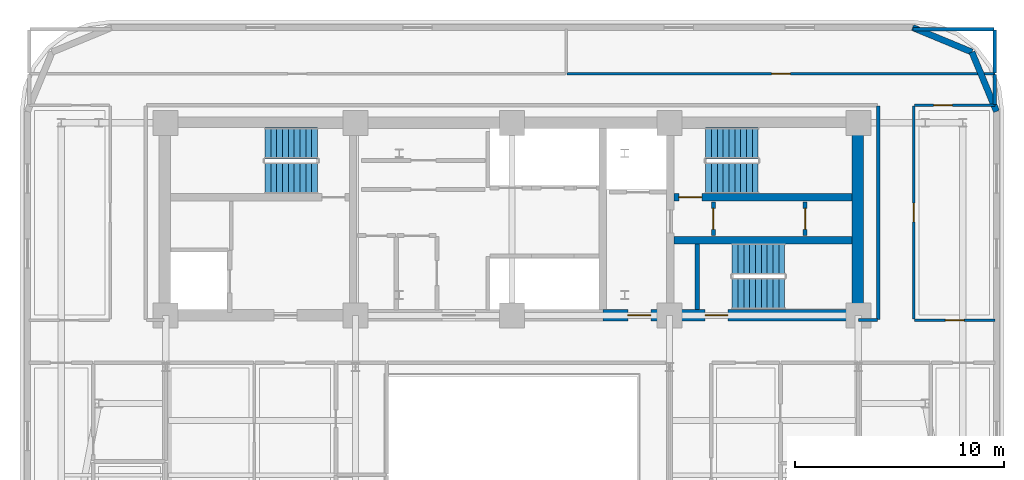
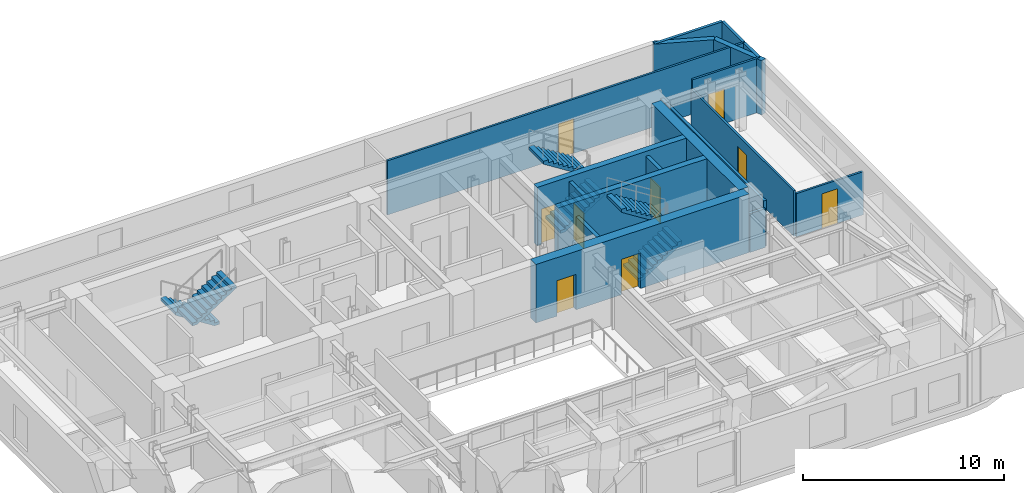
# One storey, part 10 of 13: 18 walls, 9 doors, 6 stair flights, 9 openings, 3 elements without a shape of their own.
"""IFC4 building model written with IfcOpenShell, lengths in metres."""

from ifc_helpers import new_model, si_unit, direction, frame, frame_2d, origin, place, context, subcontext, project, spatial, polyline, rectangle, outline, extrude, material, layer, layer_set, type_object, element, fill, aggregate, save


model = new_model("IFC4")

# Units and contexts
model_context = context("Model", 3, precision=1e-05, world=origin(), true_north=direction((0.0, 1.0)))
body_context = subcontext(model_context, "Body", "Model", "MODEL_VIEW")
ifc_project = project(units=[si_unit("LENGTHUNIT", "METRE"), si_unit("AREAUNIT", "SQUARE_METRE"), si_unit("VOLUMEUNIT", "CUBIC_METRE"), si_unit("PLANEANGLEUNIT", "RADIAN"), si_unit("MASSUNIT", "GRAM", prefix="KILO")], contexts=[model_context])

# Site, building, storey
site_placement = place(None, origin())
site = spatial("IfcSite", under=ifc_project, at=site_placement, CompositionType="ELEMENT")
building_placement = place(site_placement, origin())
building = spatial("IfcBuilding", under=site, at=building_placement, Name="Zarnavel Station Tower", CompositionType="ELEMENT")
storey_placement = place(building_placement, frame((0.0, 0.0, 141.25)))
storey = spatial("IfcBuildingStorey", under=building, at=storey_placement, Name="L38", CompositionType="ELEMENT", Elevation=141.25)

# Wall, opening, door
ifc_material_1 = material(Name="Concrete C50/60", Category="concrete")
ifc_layer_1 = layer(ifc_material_1, 0.35009765625)
ifc_layer_set_1 = layer_set([ifc_layer_1], Name="CW_350")
wall_type_1 = type_object("IfcWallType", Name="CW_350", PredefinedType="SHEAR", material=ifc_layer_set_1)
wall_1_placement = place(storey_placement, frame((45.10498046875, 33.47998046875, 0.0), z_axis=(0.0, 0.0, 1.0), x_axis=(-1.0, 0.0, 0.0)))
wall_1 = element("IfcWall", 1, at=wall_1_placement, inside=storey, type_object=wall_type_1, Name="L38 Rear Core Shear Wall DIV-H2", PredefinedType="SHEAR", context=body_context, shape_type="SweptSolid", body=[
    extrude(rectangle(XDim=8.550048828125, YDim=0.35009765625, at=frame_2d((4.27490234375, 0.0))), origin(), (0.0, 0.0, 1.0), 3.550048828125),
])
opening_1_placement = place(wall_1_placement, frame((7.205078125, 0.0, 0.0)))
opening_1 = element("IfcOpeningElement", 2, at=opening_1_placement, cuts=wall_1, Name="Opening FD01", PredefinedType="OPENING", context=body_context, shape_type="SweptSolid", body=[
    extrude(rectangle(XDim=1.10009765625, YDim=2.14990234375, at=frame_2d((0.550048828125, 1.074951171875))), frame((0.0, 0.18505859375, 0.0), z_axis=(0.0, -1.0, 0.0), x_axis=(1.0, 0.0, 0.0)), (0.0, 0.0, 1.0), 0.3701171875),
])
ifc_material_2 = material(Name="Painted Galvanised Steel and Hardwood Leaf", Category="steel")
door_type_1 = type_object("IfcDoorType", Name="ID_STAIR_1100", OperationType="NOTDEFINED", PredefinedType="DOOR", material=ifc_material_2)
door_1_placement = place(opening_1_placement, origin())
door_1 = element("IfcDoor", 3, at=door_1_placement, inside=storey, type_object=door_type_1, Name="L38 Stair ST2 Lobby Fire Door", OperationType="SINGLE_SWING_RIGHT", OverallHeight=2.14990234375, OverallWidth=1.10009765625, PredefinedType="DOOR", context=body_context, shape_type="SweptSolid", body=[
    extrude(rectangle(XDim=1.10009765625, YDim=2.14990234375, at=frame_2d((0.550048828125, 1.074951171875))), frame((0.0, 0.02490234375, 0.0), z_axis=(0.0, -1.0, 0.0), x_axis=(1.0, 0.0, 0.0)), (0.0, 0.0, 1.0), 0.050048828125),
])
fill(opening_1, door_1)

# Wall
wall_2_placement = place(storey_placement, frame((36.554931640625, 31.419921875, 0.0), z_axis=(0.0, 0.0, 1.0), x_axis=(1.0, 0.0, 0.0)))
element("IfcWall", 4, at=wall_2_placement, inside=storey, type_object=wall_type_1, Name="L38 Rear Core Shear Wall DIV-H3", PredefinedType="SHEAR", context=body_context, shape_type="SweptSolid", body=[
    extrude(rectangle(XDim=8.550048828125, YDim=0.35009765625, at=frame_2d((4.27490234375, 0.0))), origin(), (0.0, 0.0, 1.0), 3.550048828125),
])

# Wall, openings, doors
ifc_material_3 = material(Name="Concrete C50/60", Category="concrete")
ifc_layer_2 = layer(ifc_material_3, 0.550048828125)
ifc_layer_set_2 = layer_set([ifc_layer_2], Name="CW_550")
wall_type_2 = type_object("IfcWallType", Name="CW_550", PredefinedType="SHEAR", material=ifc_layer_set_2)
wall_3_placement = place(storey_placement, frame((45.3798828125, 27.820068359375, 0.0), z_axis=(0.0, 0.0, 1.0), x_axis=(-1.0, 0.0, 0.0)))
wall_3 = element("IfcWall", 5, at=wall_3_placement, inside=storey, type_object=wall_type_2, Name="L38 Rear Core Shear Wall S-E", PredefinedType="SHEAR", context=body_context, shape_type="SweptSolid", body=[
    extrude(rectangle(XDim=12.22998046875, YDim=0.550048828125, at=frame_2d((6.114990234375, 0.0))), origin(), (0.0, 0.0, 1.0), 3.550048828125),
])
opening_2_placement = place(wall_3_placement, frame((9.929931640625, 0.0, 0.0)))
opening_2 = element("IfcOpeningElement", 6, at=opening_2_placement, cuts=wall_3, Name="Opening FD01", PredefinedType="OPENING", context=body_context, shape_type="SweptSolid", body=[
    extrude(rectangle(XDim=1.10009765625, YDim=2.14990234375, at=frame_2d((0.550048828125, 1.074951171875))), frame((0.0, 0.284912109375, 0.0), z_axis=(0.0, -1.0, 0.0), x_axis=(1.0, 0.0, 0.0)), (0.0, 0.0, 1.0), 0.570068359375),
])
opening_3_placement = place(wall_3_placement, frame((6.22998046875, 0.0, 0.0)))
opening_3 = element("IfcOpeningElement", 7, at=opening_3_placement, cuts=wall_3, Name="Opening FD01", PredefinedType="OPENING", context=body_context, shape_type="SweptSolid", body=[
    extrude(rectangle(XDim=1.10009765625, YDim=2.14990234375, at=frame_2d((0.550048828125, 1.074951171875))), frame((0.0, 0.284912109375, 0.0), z_axis=(0.0, -1.0, 0.0), x_axis=(1.0, 0.0, 0.0)), (0.0, 0.0, 1.0), 0.570068359375),
])
door_2_placement = place(opening_2_placement, origin())
door_2 = element("IfcDoor", 8, at=door_2_placement, inside=storey, type_object=door_type_1, Name="L38 East Firefighting Lobby Door", OperationType="SINGLE_SWING_LEFT", OverallHeight=2.14990234375, OverallWidth=1.10009765625, PredefinedType="DOOR", context=body_context, shape_type="SweptSolid", body=[
    extrude(rectangle(XDim=1.10009765625, YDim=2.14990234375, at=frame_2d((0.550048828125, 1.074951171875))), frame((0.0, 0.02490234375, 0.0), z_axis=(0.0, -1.0, 0.0), x_axis=(1.0, 0.0, 0.0)), (0.0, 0.0, 1.0), 0.050048828125),
])
fill(opening_2, door_2)
door_3_placement = place(opening_3_placement, origin())
door_3 = element("IfcDoor", 9, at=door_3_placement, inside=storey, type_object=door_type_1, Name="L38 Stair ST3 Corridor Fire Door", OperationType="SINGLE_SWING_RIGHT", OverallHeight=2.14990234375, OverallWidth=1.10009765625, PredefinedType="DOOR", context=body_context, shape_type="SweptSolid", body=[
    extrude(rectangle(XDim=1.10009765625, YDim=2.14990234375, at=frame_2d((0.550048828125, 1.074951171875))), frame((0.0, 0.02490234375, 0.0), z_axis=(0.0, -1.0, 0.0), x_axis=(1.0, 0.0, 0.0)), (0.0, 0.0, 1.0), 0.050048828125),
])
fill(opening_3, door_3)

# Walls
wall_4_placement = place(storey_placement, frame((45.3798828125, 28.094970703125, 0.0), z_axis=(0.0, 0.0, 1.0), x_axis=(0.0, 1.0, 0.0)))
element("IfcWall", 10, at=wall_4_placement, inside=storey, type_object=wall_type_2, Name="L38 Rear Core Shear Wall E", PredefinedType="SHEAR", context=body_context, shape_type="SweptSolid", body=[
    extrude(rectangle(XDim=8.679931640625, YDim=0.550048828125, at=frame_2d((4.33984375, 0.0))), origin(), (0.0, 0.0, 1.0), 3.550048828125),
])
ifc_material_4 = material(Name="Precast concrete C45/55 (Dark Basalt Finish)", Category="masonry")
ifc_layer_3 = layer(ifc_material_4, 0.300048828125)
ifc_layer_set_3 = layer_set([ifc_layer_3], Name="EW_BASALT_300")
wall_type_3 = type_object("IfcWallType", Name="EW_BASALT_300", PredefinedType="SOLIDWALL", material=ifc_layer_set_3)
for number, where, z_axis, x_axis, name in (
    (11, (50.842529296875, 40.442626953125, 0.0), (0.0, 0.0, 1.0), (0.382704529509, -0.923870793506, 0.0), "L38 Exterior Basalt Masonry Frame Wall 04"),
    (12, (48.0, 41.6201171875, 0.0), (0.0, 0.0, 1.0), (0.923870793506, -0.382704529509, 0.0), "L38 Exterior Basalt Masonry Frame Wall 05"),
):
    element("IfcWall", number, at=place(storey_placement, frame(where, z_axis=z_axis, x_axis=x_axis)), inside=storey, type_object=wall_type_3, Name=name, PredefinedType="SOLIDWALL", context=body_context, shape_type="SweptSolid", body=[
        extrude(rectangle(XDim=3.07666015625, YDim=0.300048828125, at=frame_2d((1.538330078125, 0.0))), origin(), (0.0, 0.0, 1.0), 3.2900390625),
    ])
ifc_material_5 = material(Name="Gypsum Twin-Stud Acoustic Fire Partition", Category="concrete")
ifc_layer_4 = layer(ifc_material_5, 0.159912109375)
ifc_layer_set_4 = layer_set([ifc_layer_4], Name="PT_DEMISE_160")
wall_type_4 = type_object("IfcWallType", Name="PT_DEMISE_160", PredefinedType="PARTITIONING", material=ifc_layer_set_4)
wall_5_placement = place(storey_placement, frame((45.409912109375, 27.60009765625, 0.0), z_axis=(0.0, 0.0, 1.0), x_axis=(1.0, 0.0, 0.0)))
element("IfcWall", 13, at=wall_5_placement, inside=storey, type_object=wall_type_4, Name="L38 Enclosure Wall COR-S", PredefinedType="PARTITIONING", context=body_context, shape_type="SweptSolid", body=[
    extrude(rectangle(XDim=0.91015625, YDim=0.159912109375, at=frame_2d((0.455078125, 0.0))), origin(), (0.0, 0.0, 1.0), 2.360107421875),
])
wall_6_placement = place(storey_placement, frame((46.35009765625, 27.6298828125, 0.0), z_axis=(0.0, 0.0, 1.0), x_axis=(0.0, 1.0, 0.0)))
element("IfcWall", 14, at=wall_6_placement, inside=storey, type_object=wall_type_4, Name="L38 Enclosure Wall COR-E", PredefinedType="PARTITIONING", context=body_context, shape_type="SweptSolid", body=[
    extrude(rectangle(XDim=10.240234375, YDim=0.159912109375, at=frame_2d((5.1201171875, 0.0))), origin(), (0.0, 0.0, 1.0), 2.77001953125),
])
wall_7_placement = place(storey_placement, frame((51.93994140625, 37.929931640625, 0.0), z_axis=(0.0, 0.0, 1.0), x_axis=(0.0, 1.0, 0.0)))
element("IfcWall", 15, at=wall_7_placement, inside=storey, type_object=wall_type_4, Name="L38 Enclosure Wall COR-N", PredefinedType="PARTITIONING", context=body_context, shape_type="SweptSolid", body=[
    extrude(rectangle(XDim=1.440185546875, YDim=0.159912109375, at=frame_2d((0.72021484375, 0.0))), origin(), (0.0, 0.0, 1.0), 3.2900390625),
])
wall_8_placement = place(storey_placement, frame((48.030029296875, 41.5400390625, 0.0), z_axis=(0.0, 0.0, 1.0), x_axis=(1.0, 0.0, 0.0)))
element("IfcWall", 16, at=wall_8_placement, inside=storey, type_object=wall_type_4, Name="L38 Enclosure Wall NBRD", PredefinedType="PARTITIONING", context=body_context, shape_type="SweptSolid", body=[
    extrude(rectangle(XDim=3.8798828125, YDim=0.159912109375, at=frame_2d((1.93994140625, 0.0))), origin(), (0.0, 0.0, 1.0), 3.2900390625),
])
wall_9_placement = place(storey_placement, frame((51.93994140625, 39.429931640625, 0.0), z_axis=(0.0, 0.0, 1.0), x_axis=(0.0, 1.0, 0.0)))
element("IfcWall", 17, at=wall_9_placement, inside=storey, type_object=wall_type_4, Name="L38 Enclosure Wall NBRD", PredefinedType="PARTITIONING", context=body_context, shape_type="SweptSolid", body=[
    extrude(rectangle(XDim=2.080078125, YDim=0.159912109375, at=frame_2d((1.0400390625, 0.0))), origin(), (0.0, 0.0, 1.0), 3.2900390625),
])

# Wall, opening, door
ifc_material_6 = material(Name="Gypsum Metal-Stud Interior Partition", Category="concrete")
ifc_layer_5 = layer(ifc_material_6, 0.1201171875)
ifc_layer_set_5 = layer_set([ifc_layer_5], Name="PT_ROOM_120")
wall_type_5 = type_object("IfcWallType", Name="PT_ROOM_120", PredefinedType="PARTITIONING", material=ifc_layer_set_5)
wall_10_placement = place(storey_placement, frame((48.090087890625, 27.60009765625, 0.0), z_axis=(0.0, 0.0, 1.0), x_axis=(1.0, 0.0, 0.0)))
wall_10 = element("IfcWall", 18, at=wall_10_placement, inside=storey, type_object=wall_type_5, Name="L38 Partition COR-S-FNE", PredefinedType="PARTITIONING", context=body_context, shape_type="SweptSolid", body=[
    extrude(rectangle(XDim=3.849853515625, YDim=0.1201171875, at=frame_2d((1.9248046875, 0.0))), origin(), (0.0, 0.0, 1.0), 2.6201171875),
])
opening_4_placement = place(wall_10_placement, frame((1.47509765625, 0.0, 0.0)))
opening_4 = element("IfcOpeningElement", 19, at=opening_4_placement, cuts=wall_10, Name="Opening ID01", PredefinedType="OPENING", context=body_context, shape_type="SweptSolid", body=[
    extrude(rectangle(XDim=0.89990234375, YDim=2.10009765625, at=frame_2d((0.449951171875, 1.050048828125))), frame((0.0, 0.070068359375, 0.0), z_axis=(0.0, -1.0, 0.0), x_axis=(1.0, 0.0, 0.0)), (0.0, 0.0, 1.0), 0.14013671875),
])
ifc_material_7 = material(Name="Painted Galvanised Steel and Hardwood Leaf", Category="steel")
door_type_2 = type_object("IfcDoorType", Name="ID_ROOM_900", OperationType="NOTDEFINED", PredefinedType="DOOR", material=ifc_material_7)
door_4_placement = place(opening_4_placement, origin())
door_4 = element("IfcDoor", 20, at=door_4_placement, inside=storey, type_object=door_type_2, Name="L38 Door COR-S-FNE", OperationType="SINGLE_SWING_RIGHT", OverallHeight=2.10009765625, OverallWidth=0.89990234375, PredefinedType="DOOR", context=body_context, shape_type="SweptSolid", body=[
    extrude(rectangle(XDim=0.89990234375, YDim=2.10009765625, at=frame_2d((0.449951171875, 1.050048828125))), frame((0.0, 0.02490234375, 0.0), z_axis=(0.0, -1.0, 0.0), x_axis=(1.0, 0.0, 0.0)), (0.0, 0.0, 1.0), 0.050048828125),
])
fill(opening_4, door_4)

wall_11_placement = place(storey_placement, frame((48.050048828125, 27.639892578125, 0.0), z_axis=(0.0, 0.0, 1.0), x_axis=(0.0, 1.0, 0.0)))
wall_11 = element("IfcWall", 21, at=wall_11_placement, inside=storey, type_object=wall_type_5, Name="L38 Partition COR-E-FNE", PredefinedType="PARTITIONING", context=body_context, shape_type="SweptSolid", body=[
    extrude(rectangle(XDim=10.22021484375, YDim=0.1201171875, at=frame_2d((5.110107421875, 0.0))), origin(), (0.0, 0.0, 1.0), 2.77001953125),
])
opening_5_placement = place(wall_11_placement, frame((4.659912109375, 0.0, 0.0)))
opening_5 = element("IfcOpeningElement", 22, at=opening_5_placement, cuts=wall_11, Name="Opening ID01", PredefinedType="OPENING", context=body_context, shape_type="SweptSolid", body=[
    extrude(rectangle(XDim=0.89990234375, YDim=2.10009765625, at=frame_2d((0.449951171875, 1.050048828125))), frame((0.0, 0.070068359375, 0.0), z_axis=(0.0, -1.0, 0.0), x_axis=(1.0, 0.0, 0.0)), (0.0, 0.0, 1.0), 0.14013671875),
])
door_5_placement = place(opening_5_placement, origin())
door_5 = element("IfcDoor", 23, at=door_5_placement, inside=storey, type_object=door_type_2, Name="L38 Door COR-E-FNE", OperationType="SINGLE_SWING_RIGHT", OverallHeight=2.10009765625, OverallWidth=0.89990234375, PredefinedType="DOOR", context=body_context, shape_type="SweptSolid", body=[
    extrude(rectangle(XDim=0.89990234375, YDim=2.10009765625, at=frame_2d((0.449951171875, 1.050048828125))), frame((0.0, 0.02490234375, 0.0), z_axis=(0.0, -1.0, 0.0), x_axis=(1.0, 0.0, 0.0)), (0.0, 0.0, 1.0), 0.050048828125),
])
fill(opening_5, door_5)

wall_12_placement = place(storey_placement, frame((48.090087890625, 37.89990234375, 0.0), z_axis=(0.0, 0.0, 1.0), x_axis=(1.0, 0.0, 0.0)))
wall_12 = element("IfcWall", 24, at=wall_12_placement, inside=storey, type_object=wall_type_5, Name="L38 Partition COR-N-FNE", PredefinedType="PARTITIONING", context=body_context, shape_type="SweptSolid", body=[
    extrude(rectangle(XDim=3.849853515625, YDim=0.1201171875, at=frame_2d((1.9248046875, 0.0))), origin(), (0.0, 0.0, 1.0), 3.2900390625),
])
opening_6_placement = place(wall_12_placement, frame((0.918701171875, 0.0, 0.0)))
opening_6 = element("IfcOpeningElement", 25, at=opening_6_placement, cuts=wall_12, Name="Opening ID01", PredefinedType="OPENING", context=body_context, shape_type="SweptSolid", body=[
    extrude(rectangle(XDim=0.89990234375, YDim=2.10009765625, at=frame_2d((0.449951171875, 1.050048828125))), frame((0.0, 0.070068359375, 0.0), z_axis=(0.0, -1.0, 0.0), x_axis=(1.0, 0.0, 0.0)), (0.0, 0.0, 1.0), 0.14013671875),
])
door_6_placement = place(opening_6_placement, origin())
door_6 = element("IfcDoor", 26, at=door_6_placement, inside=storey, type_object=door_type_2, Name="L38 Door COR-N-FNE", OperationType="SINGLE_SWING_RIGHT", OverallHeight=2.10009765625, OverallWidth=0.89990234375, PredefinedType="DOOR", context=body_context, shape_type="SweptSolid", body=[
    extrude(rectangle(XDim=0.89990234375, YDim=2.10009765625, at=frame_2d((0.449951171875, 1.050048828125))), frame((0.0, 0.02490234375, 0.0), z_axis=(0.0, -1.0, 0.0), x_axis=(1.0, 0.0, 0.0)), (0.0, 0.0, 1.0), 0.050048828125),
])
fill(opening_6, door_6)

wall_13_placement = place(storey_placement, frame((31.43994140625, 39.39990234375, 0.0), z_axis=(0.0, 0.0, 1.0), x_axis=(1.0, 0.0, 0.0)))
wall_13 = element("IfcWall", 27, at=wall_13_placement, inside=storey, type_object=wall_type_5, Name="L38 Partition COR-N-NBRD", PredefinedType="PARTITIONING", context=body_context, shape_type="SweptSolid", body=[
    extrude(rectangle(XDim=20.5, YDim=0.1201171875, at=frame_2d((10.25, 0.0))), origin(), (0.0, 0.0, 1.0), 3.2900390625),
])
opening_7_placement = place(wall_13_placement, frame((9.800048828125, 0.0, 0.0)))
opening_7 = element("IfcOpeningElement", 28, at=opening_7_placement, cuts=wall_13, Name="Opening ID01", PredefinedType="OPENING", context=body_context, shape_type="SweptSolid", body=[
    extrude(rectangle(XDim=0.89990234375, YDim=2.10009765625, at=frame_2d((0.449951171875, 1.050048828125))), frame((0.0, 0.070068359375, 0.0), z_axis=(0.0, -1.0, 0.0), x_axis=(1.0, 0.0, 0.0)), (0.0, 0.0, 1.0), 0.14013671875),
])
door_7_placement = place(opening_7_placement, origin())
door_7 = element("IfcDoor", 29, at=door_7_placement, inside=storey, type_object=door_type_2, Name="L38 Door COR-N-NBRD", OperationType="SINGLE_SWING_RIGHT", OverallHeight=2.10009765625, OverallWidth=0.89990234375, PredefinedType="DOOR", context=body_context, shape_type="SweptSolid", body=[
    extrude(rectangle(XDim=0.89990234375, YDim=2.10009765625, at=frame_2d((0.449951171875, 1.050048828125))), frame((0.0, 0.02490234375, 0.0), z_axis=(0.0, -1.0, 0.0), x_axis=(1.0, 0.0, 0.0)), (0.0, 0.0, 1.0), 0.050048828125),
])
fill(opening_7, door_7)

# Wall
ifc_material_8 = material(Name="Precast concrete C45/55 (Fire Shaft Blockwork)", Category="masonry")
ifc_layer_6 = layer(ifc_material_8, 0.199951171875)
ifc_layer_set_6 = layer_set([ifc_layer_6], Name="PT_SHAFT_200")
wall_type_6 = type_object("IfcWallType", Name="PT_SHAFT_200", PredefinedType="PARTITIONING", material=ifc_layer_set_6)
wall_14_placement = place(storey_placement, frame((37.679931640625, 28.094970703125, 0.0), z_axis=(0.0, 0.0, 1.0), x_axis=(0.0, 1.0, 0.0)))
element("IfcWall", 30, at=wall_14_placement, inside=storey, type_object=wall_type_6, Name="L38 Stair ST3 West Shaft Wall", PredefinedType="PARTITIONING", context=body_context, shape_type="SweptSolid", body=[
    extrude(rectangle(XDim=3.155029296875, YDim=0.199951171875, at=frame_2d((1.57763671875, 0.0))), origin(), (0.0, 0.0, 1.0), 2.669921875),
])

# Wall, opening, door
wall_15_placement = place(storey_placement, frame((38.449951171875, 31.639892578125, 0.0), z_axis=(0.0, 0.0, 1.0), x_axis=(0.0, 1.0, 0.0)))
wall_15 = element("IfcWall", 31, at=wall_15_placement, inside=storey, type_object=wall_type_6, Name="L38 Partition ESTV-CEA", PredefinedType="PARTITIONING", context=body_context, shape_type="SweptSolid", body=[
    extrude(rectangle(XDim=1.6201171875, YDim=0.199951171875, at=frame_2d((0.81005859375, 0.0))), origin(), (0.0, 0.0, 1.0), 3.2900390625),
])
opening_8_placement = place(wall_15_placement, frame((0.31005859375, 0.0, 0.0)))
opening_8 = element("IfcOpeningElement", 32, at=opening_8_placement, cuts=wall_15, Name="Opening FD02", PredefinedType="OPENING", context=body_context, shape_type="SweptSolid", body=[
    extrude(rectangle(XDim=1.0, YDim=2.14990234375, at=frame_2d((0.5, 1.074951171875))), frame((0.0, 0.10986328125, 0.0), z_axis=(0.0, -1.0, 0.0), x_axis=(1.0, 0.0, 0.0)), (0.0, 0.0, 1.0), 0.219970703125),
])
ifc_material_9 = material(Name="Painted Galvanised Steel and Hardwood Leaf", Category="steel")
door_type_3 = type_object("IfcDoorType", Name="ID_ENTRY_1000", OperationType="NOTDEFINED", PredefinedType="DOOR", material=ifc_material_9)
door_8_placement = place(opening_8_placement, origin())
door_8 = element("IfcDoor", 33, at=door_8_placement, inside=storey, type_object=door_type_3, Name="L38 Door ESTV-CEA", OperationType="SINGLE_SWING_RIGHT", OverallHeight=2.14990234375, OverallWidth=1.0, PredefinedType="DOOR", context=body_context, shape_type="SweptSolid", body=[
    extrude(rectangle(XDim=1.0, YDim=2.14990234375, at=frame_2d((0.5, 1.074951171875))), frame((0.0, 0.02490234375, 0.0), z_axis=(0.0, -1.0, 0.0), x_axis=(1.0, 0.0, 0.0)), (0.0, 0.0, 1.0), 0.050048828125),
])
fill(opening_8, door_8)

wall_16_placement = place(storey_placement, frame((42.85009765625, 31.639892578125, 0.0), z_axis=(0.0, 0.0, 1.0), x_axis=(0.0, 1.0, 0.0)))
wall_16 = element("IfcWall", 34, at=wall_16_placement, inside=storey, type_object=wall_type_6, Name="L38 Partition CEA-CEB", PredefinedType="PARTITIONING", context=body_context, shape_type="SweptSolid", body=[
    extrude(rectangle(XDim=1.6201171875, YDim=0.199951171875, at=frame_2d((0.81005859375, 0.0))), origin(), (0.0, 0.0, 1.0), 3.2900390625),
])
opening_9_placement = place(wall_16_placement, frame((0.31005859375, 0.0, 0.0)))
opening_9 = element("IfcOpeningElement", 35, at=opening_9_placement, cuts=wall_16, Name="Opening FD02", PredefinedType="OPENING", context=body_context, shape_type="SweptSolid", body=[
    extrude(rectangle(XDim=1.0, YDim=2.14990234375, at=frame_2d((0.5, 1.074951171875))), frame((0.0, 0.10986328125, 0.0), z_axis=(0.0, -1.0, 0.0), x_axis=(1.0, 0.0, 0.0)), (0.0, 0.0, 1.0), 0.219970703125),
])
door_9_placement = place(opening_9_placement, origin())
door_9 = element("IfcDoor", 36, at=door_9_placement, inside=storey, type_object=door_type_3, Name="L38 Door CEA-CEB", OperationType="SINGLE_SWING_LEFT", OverallHeight=2.14990234375, OverallWidth=1.0, PredefinedType="DOOR", context=body_context, shape_type="SweptSolid", body=[
    extrude(rectangle(XDim=1.0, YDim=2.14990234375, at=frame_2d((0.5, 1.074951171875))), frame((0.0, 0.02490234375, 0.0), z_axis=(0.0, -1.0, 0.0), x_axis=(1.0, 0.0, 0.0)), (0.0, 0.0, 1.0), 0.050048828125),
])
fill(opening_9, door_9)

# Stair, stair flights
ifc_material_10 = material(Name="Concrete C45/55", Category="concrete")
stair_type = type_object("IfcStairType", Name="ST_CORE_150", PredefinedType="HALF_TURN_STAIR", material=ifc_material_10)
stair_1_placement = place(storey_placement, origin())
stair_1 = element("IfcStair", 37, at=stair_1_placement, inside=storey, type_object=stair_type, Name="L38 Core Exit Stair ST1", PredefinedType="HALF_TURN_STAIR")
ifc_material_11 = material(Name="Concrete C45/55", Category="concrete")
ifc_layer_7 = layer(ifc_material_11, 0.179931640625)
ifc_layer_set_7 = layer_set([ifc_layer_7], Name="ST_CORE_150_FLT")
stair_flight_type = type_object("IfcStairFlightType", Name="ST_CORE_150_FLT", PredefinedType="STRAIGHT", material=ifc_layer_set_7)
stair_flight_1_placement = place(storey_placement, frame((19.47998046875, 36.070068359375, 0.0), z_axis=(0.0, 0.0, 1.0), x_axis=(-1.0, 0.0, 0.0)))
stair_flight_1 = element("IfcStairFlight", 38, at=stair_flight_1_placement, type_object=stair_flight_type, Name="ST1 flight 1", NumberOfRisers=10, NumberOfTreads=9, PredefinedType="STRAIGHT", RiserHeight=0.1775, TreadLength=0.28, context=body_context, shape_type="SweptSolid", body=[
    extrude(outline(polyline([(0.0, 0.0), (0.0, 0.177490234375), (0.280029296875, 0.177490234375), (0.280029296875, 0.35498046875), (0.56005859375, 0.35498046875), (0.56005859375, 0.532470703125), (0.840087890625, 0.532470703125), (0.840087890625, 0.7099609375), (1.1201171875, 0.7099609375), (1.1201171875, 0.887451171875), (1.39990234375, 0.887451171875), (1.39990234375, 1.06494140625), (1.679931640625, 1.06494140625), (1.679931640625, 1.242431640625), (1.9599609375, 1.242431640625), (1.9599609375, 1.419921875), (2.239990234375, 1.419921875), (2.239990234375, 1.597412109375), (2.52001953125, 1.597412109375), (2.52001953125, 1.77490234375), (2.52001953125, 1.419921875), (0.280029296875, 0.0), (0.0, 0.0)])), frame((0.0, 0.75, 0.0), z_axis=(0.0, -1.0, 0.0), x_axis=(1.0, 0.0, 0.0)), (0.0, 0.0, 1.0), 1.5),
])
stair_flight_2_placement = place(storey_placement, frame((16.9599609375, 34.409912109375, 1.77490234375), z_axis=(0.0, 0.0, 1.0), x_axis=(1.0, 0.0, 0.0)))
stair_flight_2 = element("IfcStairFlight", 39, at=stair_flight_2_placement, type_object=stair_flight_type, Name="ST1 flight 2", NumberOfRisers=10, NumberOfTreads=9, PredefinedType="STRAIGHT", RiserHeight=0.1775, TreadLength=0.28, context=body_context, shape_type="SweptSolid", body=[
    extrude(outline(polyline([(0.0, 0.0), (0.0, 0.177490234375), (0.280029296875, 0.177490234375), (0.280029296875, 0.35498046875), (0.56005859375, 0.35498046875), (0.56005859375, 0.532470703125), (0.840087890625, 0.532470703125), (0.840087890625, 0.7099609375), (1.1201171875, 0.7099609375), (1.1201171875, 0.887451171875), (1.39990234375, 0.887451171875), (1.39990234375, 1.06494140625), (1.679931640625, 1.06494140625), (1.679931640625, 1.242431640625), (1.9599609375, 1.242431640625), (1.9599609375, 1.419921875), (2.239990234375, 1.419921875), (2.239990234375, 1.597412109375), (2.52001953125, 1.597412109375), (2.52001953125, 1.77490234375), (2.52001953125, 1.419921875), (0.280029296875, 0.0), (0.0, 0.0)])), frame((0.0, 0.75, 0.0), z_axis=(0.0, -1.0, 0.0), x_axis=(1.0, 0.0, 0.0)), (0.0, 0.0, 1.0), 1.5),
])
aggregate(stair_1, [stair_flight_1, stair_flight_2])

stair_2_placement = place(storey_placement, origin())
stair_2 = element("IfcStair", 40, at=stair_2_placement, inside=storey, type_object=stair_type, Name="L38 Core Exit Stair ST2", PredefinedType="HALF_TURN_STAIR")
stair_flight_3_placement = place(storey_placement, frame((38.080078125, 34.409912109375, 0.0), z_axis=(0.0, 0.0, 1.0), x_axis=(1.0, 0.0, 0.0)))
stair_flight_3 = element("IfcStairFlight", 41, at=stair_flight_3_placement, type_object=stair_flight_type, Name="ST2 flight 1", NumberOfRisers=10, NumberOfTreads=9, PredefinedType="STRAIGHT", RiserHeight=0.1775, TreadLength=0.28, context=body_context, shape_type="SweptSolid", body=[
    extrude(outline(polyline([(0.0, 0.0), (0.0, 0.177490234375), (0.280029296875, 0.177490234375), (0.280029296875, 0.35498046875), (0.56005859375, 0.35498046875), (0.56005859375, 0.532470703125), (0.840087890625, 0.532470703125), (0.840087890625, 0.7099609375), (1.1201171875, 0.7099609375), (1.1201171875, 0.887451171875), (1.39990234375, 0.887451171875), (1.39990234375, 1.06494140625), (1.679931640625, 1.06494140625), (1.679931640625, 1.242431640625), (1.9599609375, 1.242431640625), (1.9599609375, 1.419921875), (2.239990234375, 1.419921875), (2.239990234375, 1.597412109375), (2.52001953125, 1.597412109375), (2.52001953125, 1.77490234375), (2.52001953125, 1.419921875), (0.280029296875, 0.0), (0.0, 0.0)])), frame((0.0, 0.75, 0.0), z_axis=(0.0, -1.0, 0.0), x_axis=(1.0, 0.0, 0.0)), (0.0, 0.0, 1.0), 1.5),
])
stair_flight_4_placement = place(storey_placement, frame((40.60009765625, 36.070068359375, 1.77490234375), z_axis=(0.0, 0.0, 1.0), x_axis=(-1.0, 0.0, 0.0)))
stair_flight_4 = element("IfcStairFlight", 42, at=stair_flight_4_placement, type_object=stair_flight_type, Name="ST2 flight 2", NumberOfRisers=10, NumberOfTreads=9, PredefinedType="STRAIGHT", RiserHeight=0.1775, TreadLength=0.28, context=body_context, shape_type="SweptSolid", body=[
    extrude(outline(polyline([(0.0, 0.0), (0.0, 0.177490234375), (0.280029296875, 0.177490234375), (0.280029296875, 0.35498046875), (0.56005859375, 0.35498046875), (0.56005859375, 0.532470703125), (0.840087890625, 0.532470703125), (0.840087890625, 0.7099609375), (1.1201171875, 0.7099609375), (1.1201171875, 0.887451171875), (1.39990234375, 0.887451171875), (1.39990234375, 1.06494140625), (1.679931640625, 1.06494140625), (1.679931640625, 1.242431640625), (1.9599609375, 1.242431640625), (1.9599609375, 1.419921875), (2.239990234375, 1.419921875), (2.239990234375, 1.597412109375), (2.52001953125, 1.597412109375), (2.52001953125, 1.77490234375), (2.52001953125, 1.419921875), (0.280029296875, 0.0), (0.0, 0.0)])), frame((0.0, 0.75, 0.0), z_axis=(0.0, -1.0, 0.0), x_axis=(1.0, 0.0, 0.0)), (0.0, 0.0, 1.0), 1.5),
])
aggregate(stair_2, [stair_flight_3, stair_flight_4])

stair_3_placement = place(storey_placement, origin())
stair_3 = element("IfcStair", 43, at=stair_3_placement, inside=storey, type_object=stair_type, Name="L38 Core Exit Stair ST3", PredefinedType="HALF_TURN_STAIR")
stair_flight_5_placement = place(storey_placement, frame((39.35009765625, 28.8701171875, 0.0), z_axis=(0.0, 0.0, 1.0), x_axis=(1.0, 0.0, 0.0)))
stair_flight_5 = element("IfcStairFlight", 44, at=stair_flight_5_placement, type_object=stair_flight_type, Name="ST3 flight 1", NumberOfRisers=10, NumberOfTreads=9, PredefinedType="STRAIGHT", RiserHeight=0.1775, TreadLength=0.28, context=body_context, shape_type="SweptSolid", body=[
    extrude(outline(polyline([(0.0, 0.0), (0.0, 0.177490234375), (0.280029296875, 0.177490234375), (0.280029296875, 0.35498046875), (0.56005859375, 0.35498046875), (0.56005859375, 0.532470703125), (0.840087890625, 0.532470703125), (0.840087890625, 0.7099609375), (1.1201171875, 0.7099609375), (1.1201171875, 0.887451171875), (1.39990234375, 0.887451171875), (1.39990234375, 1.06494140625), (1.679931640625, 1.06494140625), (1.679931640625, 1.242431640625), (1.9599609375, 1.242431640625), (1.9599609375, 1.419921875), (2.239990234375, 1.419921875), (2.239990234375, 1.597412109375), (2.52001953125, 1.597412109375), (2.52001953125, 1.77490234375), (2.52001953125, 1.419921875), (0.280029296875, 0.0), (0.0, 0.0)])), frame((0.0, 0.75, 0.0), z_axis=(0.0, -1.0, 0.0), x_axis=(1.0, 0.0, 0.0)), (0.0, 0.0, 1.0), 1.5),
])
stair_flight_6_placement = place(storey_placement, frame((41.8701171875, 30.530029296875, 1.77490234375), z_axis=(0.0, 0.0, 1.0), x_axis=(-1.0, 0.0, 0.0)))
stair_flight_6 = element("IfcStairFlight", 45, at=stair_flight_6_placement, type_object=stair_flight_type, Name="ST3 flight 2", NumberOfRisers=10, NumberOfTreads=9, PredefinedType="STRAIGHT", RiserHeight=0.1775, TreadLength=0.28, context=body_context, shape_type="SweptSolid", body=[
    extrude(outline(polyline([(0.0, 0.0), (0.0, 0.177490234375), (0.280029296875, 0.177490234375), (0.280029296875, 0.35498046875), (0.56005859375, 0.35498046875), (0.56005859375, 0.532470703125), (0.840087890625, 0.532470703125), (0.840087890625, 0.7099609375), (1.1201171875, 0.7099609375), (1.1201171875, 0.887451171875), (1.39990234375, 0.887451171875), (1.39990234375, 1.06494140625), (1.679931640625, 1.06494140625), (1.679931640625, 1.242431640625), (1.9599609375, 1.242431640625), (1.9599609375, 1.419921875), (2.239990234375, 1.419921875), (2.239990234375, 1.597412109375), (2.52001953125, 1.597412109375), (2.52001953125, 1.77490234375), (2.52001953125, 1.419921875), (0.280029296875, 0.0), (0.0, 0.0)])), frame((0.0, 0.75, 0.0), z_axis=(0.0, -1.0, 0.0), x_axis=(1.0, 0.0, 0.0)), (0.0, 0.0, 1.0), 1.5),
])
aggregate(stair_3, [stair_flight_5, stair_flight_6])

save(model, "model.ifc")
